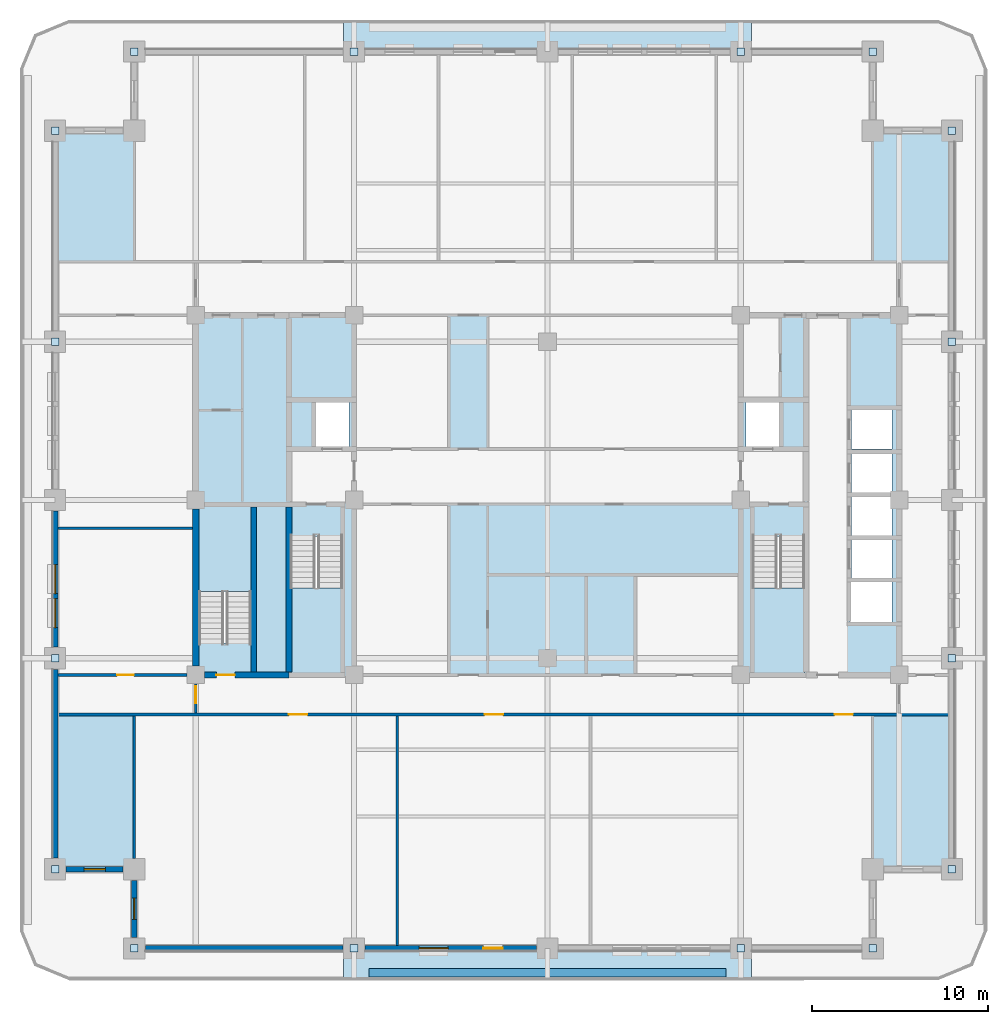
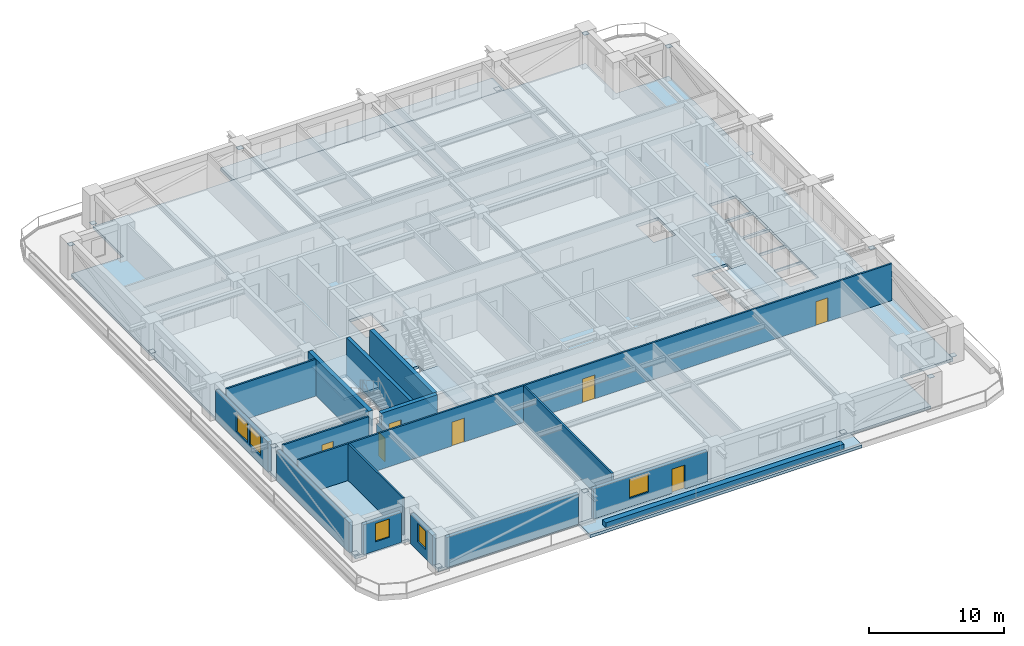
# One storey, part 2 of 15: 17 walls, 16 plates, 7 doors, 6 slabs, 5 windows, 12 openings, 3 elements without a shape of their own.
"""IFC4 building model written with IfcOpenShell, lengths in metres."""

from ifc_helpers import new_model, si_unit, direction, frame, frame_2d, origin, origin_2d, place, context, subcontext, project, spatial, polyline, rectangle, outline, extrude, material, layer, layer_set, type_object, element, fill, aggregate, save


model = new_model("IFC4")

# Units and contexts
model_context = context("Model", 3, precision=1e-05, world=origin(), true_north=direction((0.0, 1.0)))
body_context = subcontext(model_context, "Body", "Model", "MODEL_VIEW")
ifc_project = project(units=[si_unit("LENGTHUNIT", "METRE"), si_unit("AREAUNIT", "SQUARE_METRE"), si_unit("VOLUMEUNIT", "CUBIC_METRE"), si_unit("PLANEANGLEUNIT", "RADIAN"), si_unit("MASSUNIT", "GRAM", prefix="KILO")], contexts=[model_context])

# Site, building, storey
site_placement = place(None, origin())
site = spatial("IfcSite", under=ifc_project, at=site_placement, CompositionType="ELEMENT")
building_placement = place(site_placement, origin())
building = spatial("IfcBuilding", under=site, at=building_placement, Name="Zulmaris Gate Convention Tower", CompositionType="ELEMENT")
storey_placement = place(building_placement, frame((0.0, 0.0, 128.48974609375)))
storey = spatial("IfcBuildingStorey", under=building, at=storey_placement, Name="L32", CompositionType="ELEMENT", Elevation=128.48974609375)

# Plates
ifc_material_1 = material(Name="Steel S460", Category="steel")
ifc_layer_1 = layer(ifc_material_1, 0.02490234375, Name="Steel S460")
ifc_layer_set_1 = layer_set([ifc_layer_1], Name="Steel S460")
plate_type = type_object("IfcPlateType", Name="NP-CAP-440", PredefinedType="USERDEFINED", material=ifc_layer_set_1)
for number, where, z_axis, x_axis, name in (
    (1, (-28.0, -21.0, 0.28759765625), (0.0, 0.0, 1.0), (1.0, 0.0, 0.0), "L32 Steel Node Plate PBR-L32-SW-W-CAP"),
    (2, (-28.0, -9.0, 2.6875), (0.0, 0.0, 1.0), (1.0, 0.0, 0.0), "L32 Steel Node Plate PBR-L32-SW-W-CAPB"),
    (3, (-28.0, 9.0, 0.28759765625), (0.0, 0.0, 1.0), (1.0, 0.0, 0.0), "L32 Steel Node Plate PBR-L32-NW-W-CAP"),
    (4, (-28.0, 21.0, 2.6875), (0.0, 0.0, 1.0), (1.0, 0.0, 0.0), "L32 Steel Node Plate PBR-L32-NW-W-CAPB"),
    (5, (23.0, -21.0, 0.28759765625), (0.0, 0.0, 1.0), (1.0, 0.0, 0.0), "L32 Steel Node Plate PBR-L32-SE-E-CAP"),
    (6, (23.0, -9.0, 2.6875), (0.0, 0.0, 1.0), (1.0, 0.0, 0.0), "L32 Steel Node Plate PBR-L32-SE-E-CAPB"),
    (7, (23.0, 9.0, 0.28759765625), (0.0, 0.0, 1.0), (1.0, 0.0, 0.0), "L32 Steel Node Plate PBR-L32-NE-E-CAP"),
    (8, (23.0, 21.0, 2.6875), (0.0, 0.0, 1.0), (1.0, 0.0, 0.0), "L32 Steel Node Plate PBR-L32-NE-E-CAPB"),
    (9, (-23.5, -25.5, 0.28759765625), (0.0, 0.0, 1.0), (1.0, 0.0, 0.0), "L32 Steel Node Plate PBR-L32-SW-S-CAP"),
    (10, (-11.0, -25.5, 2.6875), (0.0, 0.0, 1.0), (1.0, 0.0, 0.0), "L32 Steel Node Plate PBR-L32-SW-S-CAPB"),
    (11, (11.0, -25.5, 0.28759765625), (0.0, 0.0, 1.0), (1.0, 0.0, 0.0), "L32 Steel Node Plate PBR-L32-SE-S-CAP"),
    (12, (18.5, -25.5, 2.6875), (0.0, 0.0, 1.0), (1.0, 0.0, 0.0), "L32 Steel Node Plate PBR-L32-SE-S-CAPB"),
    (13, (-23.5, 25.5, 0.28759765625), (0.0, 0.0, 1.0), (1.0, 0.0, 0.0), "L32 Steel Node Plate PBR-L32-NW-N-CAP"),
    (14, (-11.0, 25.5, 2.6875), (0.0, 0.0, 1.0), (1.0, 0.0, 0.0), "L32 Steel Node Plate PBR-L32-NW-N-CAPB"),
    (15, (11.0, 25.5, 0.28759765625), (0.0, 0.0, 1.0), (1.0, 0.0, 0.0), "L32 Steel Node Plate PBR-L32-NE-N-CAP"),
    (16, (18.5, 25.5, 2.6875), (0.0, 0.0, 1.0), (1.0, 0.0, 0.0), "L32 Steel Node Plate PBR-L32-NE-N-CAPB"),
):
    element("IfcPlate", number, at=place(storey_placement, frame(where, z_axis=z_axis, x_axis=x_axis)), inside=storey, type_object=plate_type, Name=name, ObjectType="FLANGE PLATE", PredefinedType="USERDEFINED", context=body_context, shape_type="SweptSolid", body=[
        extrude(rectangle(XDim=0.43994140625, YDim=0.43994140625, at=origin_2d()), origin(), (0.0, 0.0, 1.0), 0.02490234375),
    ])

# Slabs
ifc_material_2 = material(Name="Precast concrete C50/60", Category="concrete")
ifc_layer_2 = layer(ifc_material_2, 0.260009765625, Name="Precast concrete C50/60")
ifc_layer_set_2 = layer_set([ifc_layer_2], Name="Precast concrete C50/60")
slab_type_1 = type_object("IfcSlabType", Name="SL-BAL-260", PredefinedType="FLOOR", material=ifc_layer_set_2)
slab_1_placement = place(storey_placement, frame((0.0, 0.0, -0.25)))
element("IfcSlab", 17, at=slab_1_placement, inside=storey, type_object=slab_type_1, Name="L32 South Tree-Balcony Planter Slab", PredefinedType="FLOOR", context=body_context, shape_type="SweptSolid", body=[
    extrude(outline(polyline([(-11.597900390625, -27.300048828125), (-11.597900390625, -25.5), (11.597900390625, -25.5), (11.597900390625, -27.300048828125), (-11.597900390625, -27.300048828125)])), origin(), (0.0, 0.0, 1.0), 0.260009765625),
])
slab_2_placement = place(storey_placement, frame((0.0, 0.0, -0.25)))
element("IfcSlab", 18, at=slab_2_placement, inside=storey, type_object=slab_type_1, Name="L32 North Tree-Balcony Planter Slab", PredefinedType="FLOOR", context=body_context, shape_type="SweptSolid", body=[
    extrude(outline(polyline([(11.597900390625, 27.300048828125), (11.597900390625, 25.5), (-11.597900390625, 25.5), (-11.597900390625, 27.300048828125), (11.597900390625, 27.300048828125)])), origin(), (0.0, 0.0, 1.0), 0.260009765625),
])
ifc_material_3 = material(Name="Concrete C50/60", Category="concrete")
ifc_layer_3 = layer(ifc_material_3, 0.25, Name="Concrete C50/60")
ifc_layer_set_3 = layer_set([ifc_layer_3], Name="Concrete C50/60")
slab_type_2 = type_object("IfcSlabType", Name="SL-FLR-250", PredefinedType="FLOOR", material=ifc_layer_set_3)
slab_3_placement = place(storey_placement, frame((0.0, 0.0, -0.25)))
element("IfcSlab", 19, at=slab_3_placement, inside=storey, type_object=slab_type_2, Name="L32 Shifted Notched-Square Structural Floor Slab", PredefinedType="FLOOR", context=body_context, shape_type="SweptSolid", body=[
    extrude(outline(polyline([(-23.5, -25.5), (18.5, -25.5), (18.5, -21.0), (23.0, -21.0), (23.0, 21.0), (18.5, 21.0), (18.5, 25.5), (-23.5, 25.5), (-23.5, 21.0), (-28.0, 21.0), (-28.0, -21.0), (-23.5, -21.0), (-23.5, -25.5)]), holes=[polyline([(-14.6201171875, -2.080078125), (-14.6201171875, -9.85009765625), (-11.659912109375, -9.85009765625), (-11.659912109375, -2.080078125), (-14.6201171875, -2.080078125)]), polyline([(11.659912109375, -2.080078125), (11.659912109375, -9.85009765625), (14.6201171875, -9.85009765625), (14.6201171875, -2.080078125), (11.659912109375, -2.080078125)]), polyline([(-16.860107421875, -8.1201171875), (-16.860107421875, -0.35009765625), (-19.820068359375, -0.35009765625), (-19.820068359375, -8.1201171875), (-16.860107421875, -8.1201171875)]), polyline([(-13.199951171875, 3.0), (-11.300048828125, 3.0), (-11.300048828125, 5.60009765625), (-13.199951171875, 5.60009765625), (-13.199951171875, 3.0)]), polyline([(11.300048828125, 3.0), (13.199951171875, 3.0), (13.199951171875, 5.60009765625), (11.300048828125, 5.60009765625), (11.300048828125, 3.0)]), polyline([(17.199951171875, -7.0), (19.60009765625, -7.0), (19.60009765625, -4.60009765625), (17.199951171875, -4.60009765625), (17.199951171875, -7.0)]), polyline([(17.300048828125, -4.5), (19.60009765625, -4.5), (19.60009765625, -2.199951171875), (17.300048828125, -2.199951171875), (17.300048828125, -4.5)]), polyline([(17.300048828125, -2.10009765625), (19.60009765625, -2.10009765625), (19.60009765625, 0.199951171875), (17.300048828125, 0.199951171875), (17.300048828125, -2.10009765625)]), polyline([(17.300048828125, 0.39990234375), (19.60009765625, 0.39990234375), (19.60009765625, 2.699951171875), (17.300048828125, 2.699951171875), (17.300048828125, 0.39990234375)]), polyline([(17.300048828125, 2.89990234375), (19.60009765625, 2.89990234375), (19.60009765625, 5.199951171875), (17.300048828125, 5.199951171875), (17.300048828125, 2.89990234375)])]), origin(), (0.0, 0.0, 1.0), 0.25),
])

# Stair, slab
ifc_material_4 = material(Name="Concrete C45/55", Category="concrete")
stair_type = type_object("IfcStairType", Name="ST-CORE-DOGLEG", PredefinedType="HALF_TURN_STAIR", material=ifc_material_4)
stair_1_placement = place(storey_placement, origin())
stair_1 = element("IfcStair", 20, at=stair_1_placement, inside=storey, type_object=stair_type, Name="L32 Core Exit Stair ST-1", PredefinedType="HALF_TURN_STAIR")
ifc_layer_4 = layer(ifc_material_4, 0.199951171875, Name="Concrete C45/55")
ifc_layer_set_4 = layer_set([ifc_layer_4], Name="Concrete C45/55")
slab_type_3 = type_object("IfcSlabType", Name="SL-LND-200", PredefinedType="LANDING", material=ifc_layer_set_4)
slab_4_placement = place(storey_placement, frame((0.0, 0.0, 1.5849609375)))
slab_4 = element("IfcSlab", 21, at=slab_4_placement, type_object=slab_type_3, Name="ST-1 landing 1", PredefinedType="LANDING", context=body_context, shape_type="SweptSolid", body=[
    extrude(outline(polyline([(-14.6201171875, -5.0), (-14.6201171875, -9.85009765625), (-11.659912109375, -9.85009765625), (-11.659912109375, -5.0), (-14.6201171875, -5.0)])), origin(), (0.0, 0.0, 1.0), 0.199951171875),
])
aggregate(stair_1, [slab_4])

stair_2_placement = place(storey_placement, origin())
stair_2 = element("IfcStair", 22, at=stair_2_placement, inside=storey, type_object=stair_type, Name="L32 Core Exit Stair ST-2", PredefinedType="HALF_TURN_STAIR")
slab_5_placement = place(storey_placement, frame((0.0, 0.0, 1.5849609375)))
slab_5 = element("IfcSlab", 23, at=slab_5_placement, type_object=slab_type_3, Name="ST-2 landing 1", PredefinedType="LANDING", context=body_context, shape_type="SweptSolid", body=[
    extrude(outline(polyline([(11.659912109375, -5.0), (11.659912109375, -9.85009765625), (14.6201171875, -9.85009765625), (14.6201171875, -5.0), (11.659912109375, -5.0)])), origin(), (0.0, 0.0, 1.0), 0.199951171875),
])
aggregate(stair_2, [slab_5])

stair_3_placement = place(storey_placement, origin())
stair_3 = element("IfcStair", 24, at=stair_3_placement, inside=storey, type_object=stair_type, Name="L32 Core Exit Stair ST-3", PredefinedType="HALF_TURN_STAIR")
slab_6_placement = place(storey_placement, frame((0.0, 0.0, 1.5849609375)))
slab_6 = element("IfcSlab", 25, at=slab_6_placement, type_object=slab_type_3, Name="ST-3 landing 1", PredefinedType="LANDING", context=body_context, shape_type="SweptSolid", body=[
    extrude(outline(polyline([(-16.860107421875, -5.199951171875), (-16.860107421875, -0.35009765625), (-19.820068359375, -0.35009765625), (-19.820068359375, -5.199951171875), (-16.860107421875, -5.199951171875)])), origin(), (0.0, 0.0, 1.0), 0.199951171875),
])
aggregate(stair_3, [slab_6])

# Wall
ifc_layer_5 = layer(ifc_material_3, 0.300048828125, Name="Concrete C50/60")
ifc_layer_set_5 = layer_set([ifc_layer_5], Name="Concrete C50/60")
wall_type_1 = type_object("IfcWallType", Name="CORE-300", PredefinedType="SHEAR", material=ifc_layer_set_5)
wall_1_placement = place(storey_placement, frame((-16.699951171875, -9.77294921875, 0.0), z_axis=(0.0, 0.0, 1.0), x_axis=(0.0, 1.0, 0.0)))
element("IfcWall", 26, at=wall_1_placement, inside=storey, type_object=wall_type_1, Name="WL-L32-036", PredefinedType="SHEAR", context=body_context, shape_type="SweptSolid", body=[
    extrude(rectangle(XDim=9.370849609375, YDim=0.300048828125, at=frame_2d((4.685546875, 0.0))), origin(), (0.0, 0.0, 1.0), 3.320068359375),
])

# Wall, opening, door
ifc_material_5 = material(Name="Concrete C55/67", Category="concrete")
ifc_layer_6 = layer(ifc_material_5, 0.35009765625, Name="Concrete C55/67")
ifc_layer_set_6 = layer_set([ifc_layer_6], Name="Concrete C55/67")
wall_type_2 = type_object("IfcWallType", Name="CORE-350", PredefinedType="SHEAR", material=ifc_layer_set_6)
wall_2_placement = place(storey_placement, frame((-19.49609375, -9.949951171875, 0.0), z_axis=(0.0, 0.0, 1.0), x_axis=(1.0, 0.0, 0.0)))
wall_2 = element("IfcWall", 27, at=wall_2_placement, inside=storey, type_object=wall_type_2, Name="WL-L32-001", PredefinedType="SHEAR", context=body_context, shape_type="SweptSolid", body=[
    extrude(rectangle(XDim=4.796142578125, YDim=0.35009765625, at=frame_2d((2.39794921875, 0.0))), origin(), (0.0, 0.0, 1.0), 3.320068359375),
])
opening_1_placement = place(wall_2_placement, frame((0.6708984375, 0.0, 0.0)))
opening_1 = element("IfcOpeningElement", 28, at=opening_1_placement, cuts=wall_2, Name="Opening D-09", PredefinedType="OPENING", context=body_context, shape_type="SweptSolid", body=[
    extrude(rectangle(XDim=1.050048828125, YDim=2.14990234375, at=frame_2d((0.52490234375, 1.074951171875))), frame((0.0, 0.18505859375, 0.0), z_axis=(0.0, -1.0, 0.0), x_axis=(1.0, 0.0, 0.0)), (0.0, 0.0, 1.0), 0.3701171875),
])
ifc_material_6 = material(Name="Fire-Rated Steel", Category="steel")
door_type_1 = type_object("IfcDoorType", Name="DR-1050-FD", OperationType="NOTDEFINED", PredefinedType="DOOR", material=ifc_material_6)
door_1_placement = place(opening_1_placement, origin())
door_1 = element("IfcDoor", 29, at=door_1_placement, inside=storey, type_object=door_type_1, Name="L32 Exit Stair ST-3 Door 10", OperationType="SINGLE_SWING_RIGHT", OverallHeight=2.14990234375, OverallWidth=1.050048828125, PredefinedType="DOOR", context=body_context, shape_type="SweptSolid", body=[
    extrude(rectangle(XDim=1.050048828125, YDim=2.14990234375, at=frame_2d((0.52490234375, 1.074951171875))), frame((0.0, 0.02490234375, 0.0), z_axis=(0.0, -1.0, 0.0), x_axis=(1.0, 0.0, 0.0)), (0.0, 0.0, 1.0), 0.050048828125),
])
fill(opening_1, door_1)

# Walls
wall_3_placement = place(storey_placement, frame((-20.0, -9.446044921875, 0.0), z_axis=(0.0, 0.0, 1.0), x_axis=(0.0, 1.0, 0.0)))
element("IfcWall", 30, at=wall_3_placement, inside=storey, type_object=wall_type_2, Name="WL-L32-034", PredefinedType="SHEAR", context=body_context, shape_type="SweptSolid", body=[
    extrude(rectangle(XDim=8.942138671875, YDim=0.35009765625, at=frame_2d((4.47119140625, 0.0))), origin(), (0.0, 0.0, 1.0), 3.320068359375),
])
wall_4_placement = place(storey_placement, frame((-14.699951171875, -9.77294921875, 0.0), z_axis=(0.0, 0.0, 1.0), x_axis=(0.0, 1.0, 0.0)))
element("IfcWall", 31, at=wall_4_placement, inside=storey, type_object=wall_type_2, Name="WL-L32-037", PredefinedType="SHEAR", context=body_context, shape_type="SweptSolid", body=[
    extrude(rectangle(XDim=9.370849609375, YDim=0.35009765625, at=frame_2d((4.685546875, 0.0))), origin(), (0.0, 0.0, 1.0), 3.320068359375),
])

# Wall, openings, doors
ifc_material_7 = material(Name="Gypsum Metal Stud Partition")
ifc_layer_7 = layer(ifc_material_7, 0.14990234375, Name="Gypsum Metal Stud Partition")
ifc_layer_set_7 = layer_set([ifc_layer_7], Name="Gypsum Metal Stud Partition")
wall_type_3 = type_object("IfcWallType", Name="PART-150", PredefinedType="PARTITIONING", material=ifc_layer_set_7)
wall_5_placement = place(storey_placement, frame((-27.8349609375, -12.199951171875, 0.0), z_axis=(0.0, 0.0, 1.0), x_axis=(1.0, 0.0, 0.0)))
wall_5 = element("IfcWall", 32, at=wall_5_placement, inside=storey, type_object=wall_type_3, Name="WL-L32-021", PredefinedType="PARTITIONING", context=body_context, shape_type="SweptSolid", body=[
    extrude(rectangle(XDim=50.669921875, YDim=0.14990234375, at=frame_2d((25.3349609375, 0.0))), origin(), (0.0, 0.0, 1.0), 3.320068359375),
])
opening_2_placement = place(wall_5_placement, frame((13.1298828125, 0.0, 0.0)))
opening_2 = element("IfcOpeningElement", 33, at=opening_2_placement, cuts=wall_5, Name="Opening D-09", PredefinedType="OPENING", context=body_context, shape_type="SweptSolid", body=[
    extrude(rectangle(XDim=1.050048828125, YDim=2.14990234375, at=frame_2d((0.52490234375, 1.074951171875))), frame((0.0, 0.0849609375, 0.0), z_axis=(0.0, -1.0, 0.0), x_axis=(1.0, 0.0, 0.0)), (0.0, 0.0, 1.0), 0.169921875),
])
opening_3_placement = place(wall_5_placement, frame((24.260009765625, 0.0, 0.0)))
opening_3 = element("IfcOpeningElement", 34, at=opening_3_placement, cuts=wall_5, Name="Opening D-09", PredefinedType="OPENING", context=body_context, shape_type="SweptSolid", body=[
    extrude(rectangle(XDim=1.050048828125, YDim=2.14990234375, at=frame_2d((0.52490234375, 1.074951171875))), frame((0.0, 0.0849609375, 0.0), z_axis=(0.0, -1.0, 0.0), x_axis=(1.0, 0.0, 0.0)), (0.0, 0.0, 1.0), 0.169921875),
])
opening_4_placement = place(wall_5_placement, frame((44.159912109375, 0.0, 0.0)))
opening_4 = element("IfcOpeningElement", 35, at=opening_4_placement, cuts=wall_5, Name="Opening D-09", PredefinedType="OPENING", context=body_context, shape_type="SweptSolid", body=[
    extrude(rectangle(XDim=1.050048828125, YDim=2.14990234375, at=frame_2d((0.52490234375, 1.074951171875))), frame((0.0, 0.0849609375, 0.0), z_axis=(0.0, -1.0, 0.0), x_axis=(1.0, 0.0, 0.0)), (0.0, 0.0, 1.0), 0.169921875),
])
door_2_placement = place(opening_2_placement, origin())
door_2 = element("IfcDoor", 36, at=door_2_placement, inside=storey, type_object=door_type_1, Name="L32 Executive Boardroom Door 30", OperationType="SINGLE_SWING_RIGHT", OverallHeight=2.14990234375, OverallWidth=1.050048828125, PredefinedType="DOOR", context=body_context, shape_type="SweptSolid", body=[
    extrude(rectangle(XDim=1.050048828125, YDim=2.14990234375, at=frame_2d((0.52490234375, 1.074951171875))), frame((0.0, 0.02490234375, 0.0), z_axis=(0.0, -1.0, 0.0), x_axis=(1.0, 0.0, 0.0)), (0.0, 0.0, 1.0), 0.050048828125),
])
fill(opening_2, door_2)
door_3_placement = place(opening_3_placement, origin())
door_3 = element("IfcDoor", 37, at=door_3_placement, inside=storey, type_object=door_type_1, Name="L32 Corporate Strategy Office Door 31", OperationType="SINGLE_SWING_LEFT", OverallHeight=2.14990234375, OverallWidth=1.050048828125, PredefinedType="DOOR", context=body_context, shape_type="SweptSolid", body=[
    extrude(rectangle(XDim=1.050048828125, YDim=2.14990234375, at=frame_2d((0.52490234375, 1.074951171875))), frame((0.0, 0.02490234375, 0.0), z_axis=(0.0, -1.0, 0.0), x_axis=(1.0, 0.0, 0.0)), (0.0, 0.0, 1.0), 0.050048828125),
])
fill(opening_3, door_3)
door_4_placement = place(opening_4_placement, origin())
door_4 = element("IfcDoor", 38, at=door_4_placement, inside=storey, type_object=door_type_1, Name="L32 Project Advisory Studio Door 32", OperationType="SINGLE_SWING_RIGHT", OverallHeight=2.14990234375, OverallWidth=1.050048828125, PredefinedType="DOOR", context=body_context, shape_type="SweptSolid", body=[
    extrude(rectangle(XDim=1.050048828125, YDim=2.14990234375, at=frame_2d((0.52490234375, 1.074951171875))), frame((0.0, 0.02490234375, 0.0), z_axis=(0.0, -1.0, 0.0), x_axis=(1.0, 0.0, 0.0)), (0.0, 0.0, 1.0), 0.050048828125),
])
fill(opening_4, door_4)

# Wall, opening, door
wall_6_placement = place(storey_placement, frame((-27.8349609375, -9.949951171875, 0.0), z_axis=(0.0, 0.0, 1.0), x_axis=(1.0, 0.0, 0.0)))
wall_6 = element("IfcWall", 39, at=wall_6_placement, inside=storey, type_object=wall_type_3, Name="WL-L32-022", PredefinedType="PARTITIONING", context=body_context, shape_type="SweptSolid", body=[
    extrude(rectangle(XDim=7.328857421875, YDim=0.14990234375, at=frame_2d((3.66455078125, 0.0))), origin(), (0.0, 0.0, 1.0), 3.320068359375),
])
opening_5_placement = place(wall_6_placement, frame((3.360107421875, 0.0, 0.0)))
opening_5 = element("IfcOpeningElement", 40, at=opening_5_placement, cuts=wall_6, Name="Opening D-11", PredefinedType="OPENING", context=body_context, shape_type="SweptSolid", body=[
    extrude(rectangle(XDim=0.949951171875, YDim=2.14990234375, at=frame_2d((0.47509765625, 1.074951171875))), frame((0.0, 0.0849609375, 0.0), z_axis=(0.0, -1.0, 0.0), x_axis=(1.0, 0.0, 0.0)), (0.0, 0.0, 1.0), 0.169921875),
])
ifc_material_8 = material(Name="Fire-Rated Timber", Category="wood")
door_type_2 = type_object("IfcDoorType", Name="DR-950-FD", OperationType="NOTDEFINED", PredefinedType="DOOR", material=ifc_material_8)
door_5_placement = place(opening_5_placement, origin())
door_5 = element("IfcDoor", 41, at=door_5_placement, inside=storey, type_object=door_type_2, Name="L32 SW Partner Door 43", OperationType="SINGLE_SWING_LEFT", OverallHeight=2.14990234375, OverallWidth=0.949951171875, PredefinedType="DOOR", context=body_context, shape_type="SweptSolid", body=[
    extrude(rectangle(XDim=0.949951171875, YDim=2.14990234375, at=frame_2d((0.47509765625, 1.074951171875))), frame((0.0, 0.02490234375, 0.0), z_axis=(0.0, -1.0, 0.0), x_axis=(1.0, 0.0, 0.0)), (0.0, 0.0, 1.0), 0.050048828125),
])
fill(opening_5, door_5)

# Walls
wall_7_placement = place(storey_placement, frame((-27.8349609375, -1.60009765625, 0.0), z_axis=(0.0, 0.0, 1.0), x_axis=(1.0, 0.0, 0.0)))
element("IfcWall", 42, at=wall_7_placement, inside=storey, type_object=wall_type_3, Name="WL-L32-026", PredefinedType="PARTITIONING", context=body_context, shape_type="SweptSolid", body=[
    extrude(rectangle(XDim=7.656982421875, YDim=0.14990234375, at=frame_2d((3.82861328125, 0.0))), origin(), (0.0, 0.0, 1.0), 3.320068359375),
])
wall_8_placement = place(storey_placement, frame((-23.5, -20.39404296875, 0.0), z_axis=(0.0, 0.0, 1.0), x_axis=(0.0, 1.0, 0.0)))
element("IfcWall", 43, at=wall_8_placement, inside=storey, type_object=wall_type_3, Name="WL-L32-069", PredefinedType="PARTITIONING", context=body_context, shape_type="SweptSolid", body=[
    extrude(rectangle(XDim=8.115966796875, YDim=0.14990234375, at=frame_2d((4.05810546875, 0.0))), origin(), (0.0, 0.0, 1.0), 3.320068359375),
])

# Wall, opening, door
wall_9_placement = place(storey_placement, frame((-20.0, -12.1220703125, 0.0), z_axis=(0.0, 0.0, 1.0), x_axis=(0.0, 1.0, 0.0)))
wall_9 = element("IfcWall", 44, at=wall_9_placement, inside=storey, type_object=wall_type_3, Name="WL-L32-071", PredefinedType="PARTITIONING", context=body_context, shape_type="SweptSolid", body=[
    extrude(rectangle(XDim=1.666015625, YDim=0.14990234375, at=frame_2d((0.8330078125, 0.0))), origin(), (0.0, 0.0, 1.0), 2.81005859375),
])
opening_6_placement = place(wall_9_placement, frame((0.56591796875, 0.0, 0.0)))
opening_6 = element("IfcOpeningElement", 45, at=opening_6_placement, cuts=wall_9, Name="Opening D-11", PredefinedType="OPENING", context=body_context, shape_type="SweptSolid", body=[
    extrude(rectangle(XDim=0.949951171875, YDim=2.14990234375, at=frame_2d((0.47509765625, 1.074951171875))), frame((0.0, 0.0849609375, 0.0), z_axis=(0.0, -1.0, 0.0), x_axis=(1.0, 0.0, 0.0)), (0.0, 0.0, 1.0), 0.169921875),
])
door_6_placement = place(opening_6_placement, origin())
door_6 = element("IfcDoor", 46, at=door_6_placement, inside=storey, type_object=door_type_2, Name="L32 SW Spur Door 41", OperationType="SINGLE_SWING_LEFT", OverallHeight=2.14990234375, OverallWidth=0.949951171875, PredefinedType="DOOR", context=body_context, shape_type="SweptSolid", body=[
    extrude(rectangle(XDim=0.949951171875, YDim=2.14990234375, at=frame_2d((0.47509765625, 1.074951171875))), frame((0.0, 0.02490234375, 0.0), z_axis=(0.0, -1.0, 0.0), x_axis=(1.0, 0.0, 0.0)), (0.0, 0.0, 1.0), 0.050048828125),
])
fill(opening_6, door_6)

# Walls
wall_10_placement = place(storey_placement, frame((-8.550048828125, -25.3349609375, 0.0), z_axis=(0.0, 0.0, 1.0), x_axis=(0.0, 1.0, 0.0)))
element("IfcWall", 47, at=wall_10_placement, inside=storey, type_object=wall_type_3, Name="WL-L32-076", PredefinedType="PARTITIONING", context=body_context, shape_type="SweptSolid", body=[
    extrude(rectangle(XDim=13.056884765625, YDim=0.14990234375, at=frame_2d((6.5283203125, 0.0))), origin(), (0.0, 0.0, 1.0), 3.320068359375),
])
ifc_material_9 = material(Name="Botanical Green Glazed Precast Concrete C40/50", Category="concrete")
ifc_layer_8 = layer(ifc_material_9, 0.419921875, Name="Botanical Green Glazed Precast Concrete C40/50")
ifc_layer_set_8 = layer_set([ifc_layer_8], Name="Botanical Green Glazed Precast Concrete C40/50")
wall_type_4 = type_object("IfcWallType", Name="PLANTER-CURB-200", PredefinedType="PARAPET", material=ifc_layer_set_8)
wall_11_placement = place(storey_placement, frame((-10.14990234375, -26.8798828125, -0.0400390625), z_axis=(0.0, 0.0, 1.0), x_axis=(1.0, 0.0, 0.0)))
element("IfcWall", 48, at=wall_11_placement, inside=storey, type_object=wall_type_4, Name="L32 Full-Length Balcony Tree Planter Trough", PredefinedType="PARAPET", context=body_context, shape_type="SweptSolid", body=[
    extrude(rectangle(XDim=20.2998046875, YDim=0.47998046875, at=frame_2d((10.14990234375, 0.0))), origin(), (0.0, 0.0, 1.0), 0.52001953125),
])

# Wall, opening, window
ifc_material_10 = material(Name="Precast concrete C40/50", Category="concrete")
ifc_layer_9 = layer(ifc_material_10, 0.300048828125, Name="Precast concrete C40/50")
ifc_layer_set_9 = layer_set([ifc_layer_9], Name="Precast concrete C40/50")
wall_type_5 = type_object("IfcWallType", Name="PRECAST-PIER-300", PredefinedType="STANDARD", material=ifc_layer_set_9)
wall_12_placement = place(storey_placement, frame((-27.3701171875, -21.0, 0.0), z_axis=(0.0, 0.0, 1.0), x_axis=(1.0, 0.0, 0.0)))
wall_12 = element("IfcWall", 49, at=wall_12_placement, inside=storey, type_object=wall_type_5, Name="EW-L32-NOTCH-SW1_0", PredefinedType="STANDARD", context=body_context, shape_type="SweptSolid", body=[
    extrude(rectangle(XDim=3.240234375, YDim=0.300048828125, at=frame_2d((1.6201171875, 0.0))), origin(), (0.0, 0.0, 1.0), 2.712158203125),
])
opening_7_placement = place(wall_12_placement, frame((1.02001953125, 0.0, 0.820068359375)))
opening_7 = element("IfcOpeningElement", 50, at=opening_7_placement, cuts=wall_12, Name="Opening W-04", PredefinedType="OPENING", context=body_context, shape_type="SweptSolid", body=[
    extrude(rectangle(XDim=1.199951171875, YDim=1.64990234375, at=frame_2d((0.60009765625, 0.824951171875))), frame((0.0, 0.16015625, 0.0), z_axis=(0.0, -1.0, 0.0), x_axis=(1.0, 0.0, 0.0)), (0.0, 0.0, 1.0), 0.320068359375),
])
ifc_material_11 = material(Name="Low-E Laminated Double Glazing in Aluminium Frame", Category="aluminium")
window_type_1 = type_object("IfcWindowType", Name="WIN-1200x2100", PartitioningType="SINGLE_PANEL", PredefinedType="WINDOW", material=ifc_material_11)
window_1_placement = place(opening_7_placement, origin())
window_1 = element("IfcWindow", 51, at=window_1_placement, inside=storey, type_object=window_type_1, Name="WN-EW-L32-NOTCH-SW1_0", OverallHeight=1.64990234375, OverallWidth=1.199951171875, PartitioningType="SINGLE_PANEL", PredefinedType="WINDOW", context=body_context, shape_type="SweptSolid", body=[
    extrude(rectangle(XDim=1.199951171875, YDim=1.64990234375, at=frame_2d((0.60009765625, 0.824951171875))), frame((0.0, 0.030029296875, 0.0), z_axis=(0.0, -1.0, 0.0), x_axis=(1.0, 0.0, 0.0)), (0.0, 0.0, 1.0), 0.06005859375),
])
fill(opening_7, window_1)

wall_13_placement = place(storey_placement, frame((-23.5, -21.6298828125, 0.0), z_axis=(0.0, 0.0, 1.0), x_axis=(0.0, -1.0, 0.0)))
wall_13 = element("IfcWall", 52, at=wall_13_placement, inside=storey, type_object=wall_type_5, Name="EW-L32-NOTCH-SW2_0", PredefinedType="STANDARD", context=body_context, shape_type="SweptSolid", body=[
    extrude(rectangle(XDim=3.240234375, YDim=0.300048828125, at=frame_2d((1.6201171875, 0.0))), origin(), (0.0, 0.0, 1.0), 2.712158203125),
])
opening_8_placement = place(wall_13_placement, frame((1.02001953125, 0.0, 0.820068359375)))
opening_8 = element("IfcOpeningElement", 53, at=opening_8_placement, cuts=wall_13, Name="Opening W-04", PredefinedType="OPENING", context=body_context, shape_type="SweptSolid", body=[
    extrude(rectangle(XDim=1.199951171875, YDim=1.64990234375, at=frame_2d((0.60009765625, 0.824951171875))), frame((0.0, 0.16015625, 0.0), z_axis=(0.0, -1.0, 0.0), x_axis=(1.0, 0.0, 0.0)), (0.0, 0.0, 1.0), 0.320068359375),
])
window_2_placement = place(opening_8_placement, origin())
window_2 = element("IfcWindow", 54, at=window_2_placement, inside=storey, type_object=window_type_1, Name="WN-EW-L32-NOTCH-SW2_0", OverallHeight=1.64990234375, OverallWidth=1.199951171875, PartitioningType="SINGLE_PANEL", PredefinedType="WINDOW", context=body_context, shape_type="SweptSolid", body=[
    extrude(rectangle(XDim=1.199951171875, YDim=1.64990234375, at=frame_2d((0.60009765625, 0.824951171875))), frame((0.0, 0.030029296875, 0.0), z_axis=(0.0, -1.0, 0.0), x_axis=(1.0, 0.0, 0.0)), (0.0, 0.0, 1.0), 0.06005859375),
])
fill(opening_8, window_2)

# Wall
wall_14_placement = place(storey_placement, frame((-22.8701171875, -25.5, 0.0), z_axis=(0.0, 0.0, 1.0), x_axis=(1.0, 0.0, 0.0)))
element("IfcWall", 55, at=wall_14_placement, inside=storey, type_object=wall_type_5, Name="EW-L32-S-0_0", PredefinedType="STANDARD", context=body_context, shape_type="SweptSolid", body=[
    extrude(rectangle(XDim=11.240234375, YDim=0.300048828125, at=frame_2d((5.6201171875, 0.0))), origin(), (0.0, 0.0, 1.0), 2.712158203125),
])

# Wall, openings, door, window
wall_15_placement = place(storey_placement, frame((-10.3701171875, -25.5, 0.0), z_axis=(0.0, 0.0, 1.0), x_axis=(1.0, 0.0, 0.0)))
wall_15 = element("IfcWall", 56, at=wall_15_placement, inside=storey, type_object=wall_type_5, Name="EW-L32-S-1_0", PredefinedType="STANDARD", context=body_context, shape_type="SweptSolid", body=[
    extrude(rectangle(XDim=9.740234375, YDim=0.300048828125, at=frame_2d((4.8701171875, 0.0))), origin(), (0.0, 0.0, 1.0), 2.712158203125),
])
opening_9_placement = place(wall_15_placement, frame((6.722900390625, 0.0, 0.0)))
opening_9 = element("IfcOpeningElement", 57, at=opening_9_placement, cuts=wall_15, Name="Opening D-04", PredefinedType="OPENING", context=body_context, shape_type="SweptSolid", body=[
    extrude(rectangle(XDim=1.10009765625, YDim=2.14990234375, at=frame_2d((0.550048828125, 1.074951171875))), frame((0.0, 0.16015625, 0.0), z_axis=(0.0, -1.0, 0.0), x_axis=(1.0, 0.0, 0.0)), (0.0, 0.0, 1.0), 0.320068359375),
])
opening_10_placement = place(wall_15_placement, frame((3.071044921875, 0.0, 0.800048828125)))
opening_10 = element("IfcOpeningElement", 58, at=opening_10_placement, cuts=wall_15, Name="Opening W-08", PredefinedType="OPENING", context=body_context, shape_type="SweptSolid", body=[
    extrude(rectangle(XDim=1.64990234375, YDim=1.699951171875, at=frame_2d((0.824951171875, 0.85009765625))), frame((0.0, 0.16015625, 0.0), z_axis=(0.0, -1.0, 0.0), x_axis=(1.0, 0.0, 0.0)), (0.0, 0.0, 1.0), 0.320068359375),
])
ifc_material_12 = material(Name="Anodised Aluminium and Laminated Glass", Category="aluminium")
door_type_3 = type_object("IfcDoorType", Name="ED-1100", OperationType="SINGLE_SWING_RIGHT", PredefinedType="DOOR", material=ifc_material_12)
door_7_placement = place(opening_9_placement, origin())
door_7 = element("IfcDoor", 59, at=door_7_placement, inside=storey, type_object=door_type_3, Name="L32 S Planted Terrace Door", OperationType="SINGLE_SWING_RIGHT", OverallHeight=2.14990234375, OverallWidth=1.10009765625, PredefinedType="DOOR", context=body_context, shape_type="SweptSolid", body=[
    extrude(rectangle(XDim=1.10009765625, YDim=2.14990234375, at=frame_2d((0.550048828125, 1.074951171875))), frame((0.0, 0.02490234375, 0.0), z_axis=(0.0, -1.0, 0.0), x_axis=(1.0, 0.0, 0.0)), (0.0, 0.0, 1.0), 0.050048828125),
])
fill(opening_9, door_7)
window_type_2 = type_object("IfcWindowType", Name="WIN-1650x2150", PartitioningType="SINGLE_PANEL", PredefinedType="WINDOW", material=ifc_material_11)
window_3_placement = place(opening_10_placement, origin())
window_3 = element("IfcWindow", 60, at=window_3_placement, inside=storey, type_object=window_type_2, Name="WN-EW-L32-S-1_0-2", OverallHeight=1.699951171875, OverallWidth=1.64990234375, PartitioningType="SINGLE_PANEL", PredefinedType="WINDOW", context=body_context, shape_type="SweptSolid", body=[
    extrude(rectangle(XDim=1.64990234375, YDim=1.699951171875, at=frame_2d((0.824951171875, 0.85009765625))), frame((0.0, 0.030029296875, 0.0), z_axis=(0.0, -1.0, 0.0), x_axis=(1.0, 0.0, 0.0)), (0.0, 0.0, 1.0), 0.06005859375),
])
fill(opening_10, window_3)

# Wall
wall_16_placement = place(storey_placement, frame((-28.0, -9.6298828125, 0.0), z_axis=(0.0, 0.0, 1.0), x_axis=(0.0, -1.0, 0.0)))
element("IfcWall", 61, at=wall_16_placement, inside=storey, type_object=wall_type_5, Name="EW-L32-W-0_0", PredefinedType="STANDARD", context=body_context, shape_type="SweptSolid", body=[
    extrude(rectangle(XDim=10.740234375, YDim=0.300048828125, at=frame_2d((5.3701171875, 0.0))), origin(), (0.0, 0.0, 1.0), 2.712158203125),
])

# Wall, openings, windows
wall_17_placement = place(storey_placement, frame((-28.0, -0.6298828125, 0.0), z_axis=(0.0, 0.0, 1.0), x_axis=(0.0, -1.0, 0.0)))
wall_17 = element("IfcWall", 62, at=wall_17_placement, inside=storey, type_object=wall_type_5, Name="EW-L32-W-1_0", PredefinedType="STANDARD", context=body_context, shape_type="SweptSolid", body=[
    extrude(rectangle(XDim=7.740234375, YDim=0.300048828125, at=frame_2d((3.8701171875, 0.0))), origin(), (0.0, 0.0, 1.0), 2.712158203125),
])
opening_11_placement = place(wall_17_placement, frame((3.044921875, 0.0, 0.800048828125)))
opening_11 = element("IfcOpeningElement", 63, at=opening_11_placement, cuts=wall_17, Name="Opening W-08", PredefinedType="OPENING", context=body_context, shape_type="SweptSolid", body=[
    extrude(rectangle(XDim=1.64990234375, YDim=1.699951171875, at=frame_2d((0.824951171875, 0.85009765625))), frame((0.0, 0.16015625, 0.0), z_axis=(0.0, -1.0, 0.0), x_axis=(1.0, 0.0, 0.0)), (0.0, 0.0, 1.0), 0.320068359375),
])
opening_12_placement = place(wall_17_placement, frame((4.97998046875, 0.0, 0.800048828125)))
opening_12 = element("IfcOpeningElement", 64, at=opening_12_placement, cuts=wall_17, Name="Opening W-08", PredefinedType="OPENING", context=body_context, shape_type="SweptSolid", body=[
    extrude(rectangle(XDim=1.64990234375, YDim=1.699951171875, at=frame_2d((0.824951171875, 0.85009765625))), frame((0.0, 0.16015625, 0.0), z_axis=(0.0, -1.0, 0.0), x_axis=(1.0, 0.0, 0.0)), (0.0, 0.0, 1.0), 0.320068359375),
])
window_4_placement = place(opening_11_placement, origin())
window_4 = element("IfcWindow", 65, at=window_4_placement, inside=storey, type_object=window_type_2, Name="WN-EW-L32-W-1_0-2", OverallHeight=1.699951171875, OverallWidth=1.64990234375, PartitioningType="SINGLE_PANEL", PredefinedType="WINDOW", context=body_context, shape_type="SweptSolid", body=[
    extrude(rectangle(XDim=1.64990234375, YDim=1.699951171875, at=frame_2d((0.824951171875, 0.85009765625))), frame((0.0, 0.030029296875, 0.0), z_axis=(0.0, -1.0, 0.0), x_axis=(1.0, 0.0, 0.0)), (0.0, 0.0, 1.0), 0.06005859375),
])
fill(opening_11, window_4)
window_5_placement = place(opening_12_placement, origin())
window_5 = element("IfcWindow", 66, at=window_5_placement, inside=storey, type_object=window_type_2, Name="WN-EW-L32-W-1_0-3", OverallHeight=1.699951171875, OverallWidth=1.64990234375, PartitioningType="SINGLE_PANEL", PredefinedType="WINDOW", context=body_context, shape_type="SweptSolid", body=[
    extrude(rectangle(XDim=1.64990234375, YDim=1.699951171875, at=frame_2d((0.824951171875, 0.85009765625))), frame((0.0, 0.030029296875, 0.0), z_axis=(0.0, -1.0, 0.0), x_axis=(1.0, 0.0, 0.0)), (0.0, 0.0, 1.0), 0.06005859375),
])
fill(opening_12, window_5)

save(model, "model.ifc")
